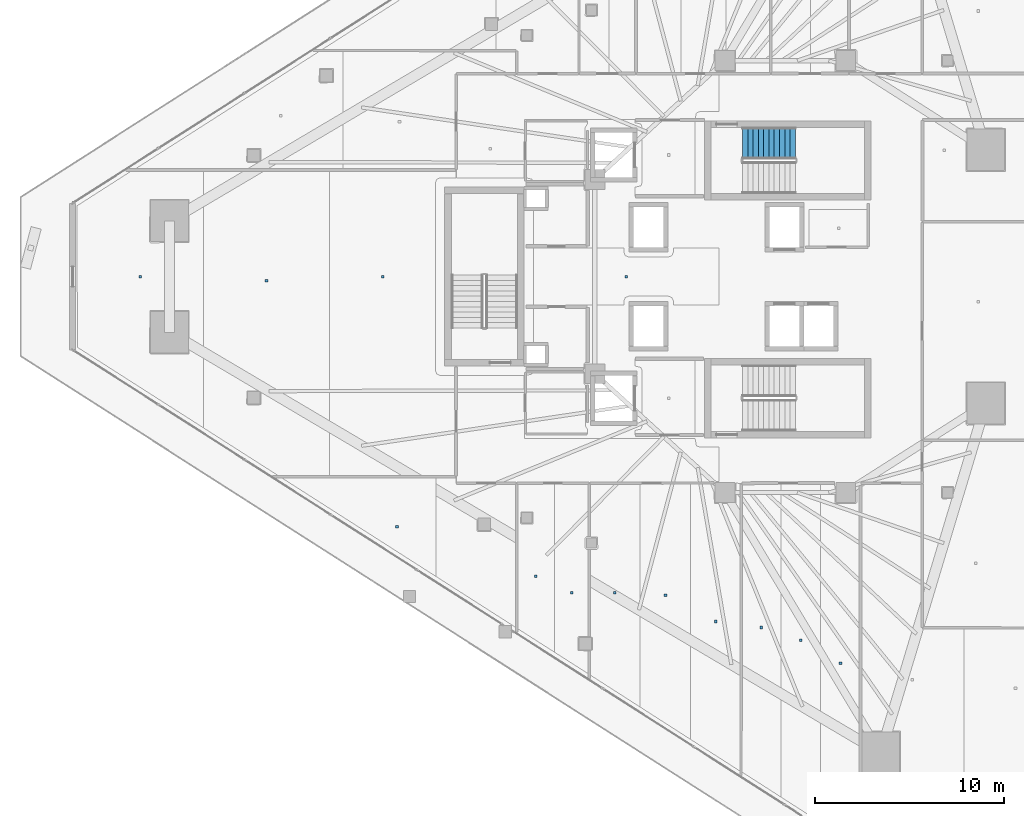
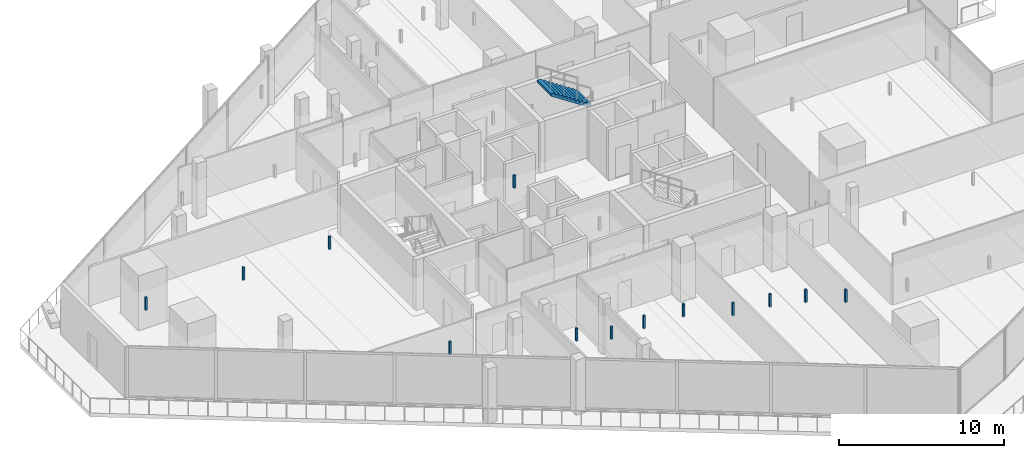
# One storey, part 32 of 44: 13 discrete accessories, 1 stair flight, 1 element without a shape of its own.
"""IFC4 building model written with IfcOpenShell, lengths in metres."""

import ifcopenshell
import ifcopenshell.guid

model = None  # the IFC model being written
_history = None  # IfcOwnerHistory: only IFC2X3 demands one
_inside = {}  # id of a spatial element -> (the spatial element, [elements in it])
_under = {}  # id of a project, library or spatial element -> (it, [spatial elements below it])
_declared = {}  # id of a project -> (the project, [libraries it declares])
_typed = {}  # id of a type object -> (the type object, [elements of that type])
_made_of = {}  # id of a material, layer set ... -> (it, [elements and type objects made of it])


def new_model(schema):
    """Start an empty IFC model of exactly this schema.

    Asked for "IFC4X3", IfcOpenShell would pick the latest addendum, in which some entities
    have other attributes; the version numbers below select the first issue.
    IFC2X3 requires an IfcOwnerHistory on every rooted entity: one is made here for all.
    """
    global model, _history
    if schema == "IFC4X3":
        model = ifcopenshell.file(schema_version=(4, 3, 0, 0))
    else:
        model = ifcopenshell.file(schema=schema)
    _inside.clear()
    _under.clear()
    _declared.clear()
    _typed.clear()
    _made_of.clear()
    _history = None
    if model.schema == "IFC2X3":
        org = make("IfcOrganization", Name="unknown")
        user = make(
            "IfcPersonAndOrganization",
            ThePerson=make("IfcPerson", FamilyName="unknown"),
            TheOrganization=org,
        )
        app = make(
            "IfcApplication",
            ApplicationDeveloper=org,
            Version="unknown",
            ApplicationFullName="unknown",
            ApplicationIdentifier="unknown",
        )
        _history = make(
            "IfcOwnerHistory",
            OwningUser=user,
            OwningApplication=app,
            ChangeAction="ADDED",
            CreationDate=0,
        )
    return model


def make(cls, **values):
    """One entity of the class cls with the attributes given. An attribute that is None is left unset."""
    return model.create_entity(
        cls, **{name: value for name, value in values.items() if value is not None}
    )


def rooted(cls, **values):
    """An entity with a GlobalId (a new one), such as an element, a storey or a relation."""
    return make(cls, GlobalId=ifcopenshell.guid.new(), OwnerHistory=_history, **values)


def si_unit(unit_type, name, prefix=None):
    """IfcSIUnit, for example si_unit("LENGTHUNIT", "METRE", prefix="MILLI")."""
    return make("IfcSIUnit", UnitType=unit_type, Prefix=prefix, Name=name)


def assignment(units):
    """IfcUnitAssignment: the units of a project."""
    return None if units is None else make("IfcUnitAssignment", Units=units)


def point(xyz):
    """IfcCartesianPoint."""
    return None if xyz is None else make("IfcCartesianPoint", Coordinates=xyz)


def direction(xyz):
    """IfcDirection."""
    return None if xyz is None else make("IfcDirection", DirectionRatios=xyz)


def frame(location, z_axis=None, x_axis=None):
    """IfcAxis2Placement3D, a coordinate frame: its origin and axes. An axis left out is left unset."""
    return make(
        "IfcAxis2Placement3D",
        Location=point(location),
        Axis=direction(z_axis),
        RefDirection=direction(x_axis),
    )


def frame_2d(location, x_axis=None):
    """IfcAxis2Placement2D, a coordinate frame in the plane: its origin and x axis."""
    return make(
        "IfcAxis2Placement2D", Location=point(location), RefDirection=direction(x_axis)
    )


def origin():
    """The frame at (0, 0, 0) with its axes left unset."""
    return frame((0.0, 0.0, 0.0))


def origin_2d():
    """The frame at (0, 0) in the plane with its x axis left unset."""
    return frame_2d((0.0, 0.0))


def place(relative_to, where):
    """IfcLocalPlacement: puts the frame where relative to a parent placement (None: the world)."""
    return make(
        "IfcLocalPlacement", PlacementRelTo=relative_to, RelativePlacement=where
    )


def context(
    kind, dimensions, precision=None, world=None, true_north=None, identifier=None
):
    """IfcGeometricRepresentationContext, for example the 3D "Model" context."""
    return make(
        "IfcGeometricRepresentationContext",
        ContextIdentifier=identifier,
        ContextType=kind,
        CoordinateSpaceDimension=dimensions,
        Precision=precision,
        WorldCoordinateSystem=world,
        TrueNorth=true_north,
    )


def subcontext(parent, identifier, kind, view, scale=None):
    """IfcGeometricRepresentationSubContext, for example "Body" below "Model"."""
    return make(
        "IfcGeometricRepresentationSubContext",
        ContextIdentifier=identifier,
        ContextType=kind,
        ParentContext=parent,
        TargetScale=scale,
        TargetView=view,
    )


def project(units=None, contexts=None):
    """IfcProject with its units and contexts."""
    return rooted(
        "IfcProject",
        Name="project",
        RepresentationContexts=contexts,
        UnitsInContext=assignment(units),
    )


def spatial(cls, under=None, at=None, **own):
    """A site, building, storey or space (cls), placed at a placement, below another one or the project."""
    s = rooted(cls, ObjectPlacement=at, **own)
    if under is not None:
        _under.setdefault(under.id(), (under, []))[1].append(s)
    return s


def polyline(points):
    """IfcPolyline through the points."""
    return make("IfcPolyline", Points=[point(p) for p in points])


def profile(cls, at=None, kind="AREA", **sizes):
    """A parametric profile (cls). Its sizes go by their IFC names, for example OverallWidth=200.0."""
    return make(cls, ProfileType=kind, Position=at, **sizes)


def rectangle(**sizes):
    """IfcRectangleProfileDef."""
    return profile("IfcRectangleProfileDef", **sizes)


def outline(outer, holes=None, kind="AREA"):
    """IfcArbitraryClosedProfileDef: a profile drawn as a closed curve; with holes, ...WithVoids."""
    if holes is None:
        return make("IfcArbitraryClosedProfileDef", ProfileType=kind, OuterCurve=outer)
    return make(
        "IfcArbitraryProfileDefWithVoids",
        ProfileType=kind,
        OuterCurve=outer,
        InnerCurves=holes,
    )


def extrude(swept, where, along, depth):
    """IfcExtrudedAreaSolid: the profile swept, set in the frame where, extruded along a direction by depth."""
    return make(
        "IfcExtrudedAreaSolid",
        SweptArea=swept,
        Position=where,
        ExtrudedDirection=direction(along),
        Depth=depth,
    )


def shape(context_of_items, identifier, shape_type, items):
    """IfcShapeRepresentation: the items that make up one representation, for example the "Body"."""
    return make(
        "IfcShapeRepresentation",
        ContextOfItems=context_of_items,
        RepresentationIdentifier=identifier,
        RepresentationType=shape_type,
        Items=items,
    )


def material(Name=None, Category=None):
    """IfcMaterial."""
    return make("IfcMaterial", Name=Name, Category=Category)


def layer(
    of_material, thickness, ventilated=None, Name=None, Category=None, Priority=None
):
    """IfcMaterialLayer: one layer of a wall or slab, of a material (None: an air gap)."""
    return make(
        "IfcMaterialLayer",
        Material=of_material,
        LayerThickness=thickness,
        IsVentilated=ventilated,
        Name=Name,
        Category=Category,
        Priority=Priority,
    )


def layer_set(layers, Name=None):
    """IfcMaterialLayerSet."""
    return make("IfcMaterialLayerSet", MaterialLayers=layers, LayerSetName=Name)


def made_of(thing, what):
    """Note that an element or type object is made of a material, layer set ...; save() writes the relation."""
    if what is not None:
        _made_of.setdefault(what.id(), (what, []))[1].append(thing)
    return thing


def type_object(cls, material=None, **own):
    """A type object (cls), such as IfcWallType, which elements share."""
    return made_of(rooted(cls, **own), material)


def element(
    cls,
    number,
    at=None,
    inside=None,
    cuts=None,
    type_object=None,
    material=None,
    context=None,
    identifier="Body",
    shape_type=None,
    held_by="IfcProductDefinitionShape",
    body=None,
    shapes=None,
    **own,
):
    """One element of the class cls, such as IfcWall. Its Tag is "e" and its number.

    at: its placement. inside: the storey or other place that contains it. cuts: it is an
    opening in that element (IfcRelVoidsElement). A single representation is given by context,
    identifier, shape_type and body (its items); several are given by shapes. held_by: the class
    of the entity that holds the representations. save() writes the other relations.
    """
    e = rooted(cls, Tag="e%d" % number, ObjectPlacement=at, **own)
    if body is not None:
        shapes = [shape(context, identifier, shape_type, body)]
    if shapes is not None:
        e.Representation = make(held_by, Representations=shapes)
    if inside is not None:
        _inside.setdefault(inside.id(), (inside, []))[1].append(e)
    if cuts is not None:
        rooted(
            "IfcRelVoidsElement", RelatingBuildingElement=cuts, RelatedOpeningElement=e
        )
    if type_object is not None:
        _typed.setdefault(type_object.id(), (type_object, []))[1].append(e)
    return made_of(e, material)


def aggregate(whole, parts):
    """IfcRelAggregates: a whole, such as a stair, and the parts it consists of."""
    return rooted("IfcRelAggregates", RelatingObject=whole, RelatedObjects=parts)


def save(model, path):
    """Write the relations noted so far, then the file.

    IfcRelAggregates (storeys below a building ...), IfcRelContainedInSpatialStructure (elements
    in a storey), IfcRelDefinesByType, IfcRelAssociatesMaterial and IfcRelDeclares: one each for
    every whole, place, type object, material and project.
    """
    for whole, parts in _under.values():
        aggregate(whole, parts)
    for where, things in _inside.values():
        rooted(
            "IfcRelContainedInSpatialStructure",
            RelatedElements=things,
            RelatingStructure=where,
        )
    for kind, things in _typed.values():
        rooted("IfcRelDefinesByType", RelatedObjects=things, RelatingType=kind)
    for what, things in _made_of.values():
        rooted("IfcRelAssociatesMaterial", RelatedObjects=things, RelatingMaterial=what)
    for by, libraries in _declared.values():
        rooted("IfcRelDeclares", RelatingContext=by, RelatedDefinitions=libraries)
    model.write(path)


model = new_model("IFC4")

# Units and contexts
model_context = context("Model", 3, precision=1e-05, world=origin(), true_north=direction((0.0, 1.0)))
body_context = subcontext(model_context, "Body", "Model", "MODEL_VIEW")
ifc_project = project(units=[si_unit("LENGTHUNIT", "METRE"), si_unit("AREAUNIT", "SQUARE_METRE"), si_unit("VOLUMEUNIT", "CUBIC_METRE"), si_unit("PLANEANGLEUNIT", "RADIAN"), si_unit("MASSUNIT", "GRAM", prefix="KILO")], contexts=[model_context])

# Site, building, storey
site_placement = place(None, origin())
site = spatial("IfcSite", under=ifc_project, at=site_placement, CompositionType="ELEMENT")
building_placement = place(site_placement, origin())
building = spatial("IfcBuilding", under=site, at=building_placement, Name="Qorvath Tower", CompositionType="ELEMENT")
storey_placement = place(building_placement, frame((0.0, 0.0, 113.85009765625)))
storey = spatial("IfcBuildingStorey", under=building, at=storey_placement, Name="L25", CompositionType="ELEMENT", Elevation=113.85009765625)

# Stair, stair flight
ifc_material_1 = material(Name="Concrete C50/60", Category="concrete")
stair_type = type_object("IfcStairType", Name="ST-H405", PredefinedType="HALF_TURN_STAIR", material=ifc_material_1)
stair_placement = place(storey_placement, origin())
stair = element("IfcStair", 1, at=stair_placement, inside=storey, type_object=stair_type, Name="L25 Tower Exit Stair 1", PredefinedType="HALF_TURN_STAIR")
ifc_material_2 = material(Name="Concrete C50/60", Category="concrete")
ifc_layer = layer(ifc_material_2, 0.14990234375)
ifc_layer_set = layer_set([ifc_layer], Name="SF-H405")
stair_flight_type = type_object("IfcStairFlightType", Name="SF-H405", PredefinedType="STRAIGHT", material=ifc_layer_set)
stair_flight_placement = place(storey_placement, frame((-19.8701171875, 7.070068359375, 2.02490234375), z_axis=(0.0, 0.0, 1.0), x_axis=(-1.0, 0.0, 0.0)))
stair_flight = element("IfcStairFlight", 2, at=stair_flight_placement, type_object=stair_flight_type, Name="TS1 flight 2", NumberOfRisers=11, NumberOfTreads=10, PredefinedType="STRAIGHT", RiserHeight=0.184090909, TreadLength=0.28, context=body_context, shape_type="SweptSolid", body=[
    extrude(outline(polyline([(0.0, 0.0), (0.0, 0.18408203125), (0.280029296875, 0.18408203125), (0.280029296875, 0.3681640625), (0.56005859375, 0.3681640625), (0.56005859375, 0.55224609375), (0.840087890625, 0.55224609375), (0.840087890625, 0.736328125), (1.1201171875, 0.736328125), (1.1201171875, 0.92041015625), (1.39990234375, 0.92041015625), (1.39990234375, 1.1044921875), (1.679931640625, 1.1044921875), (1.679931640625, 1.28857421875), (1.9599609375, 1.28857421875), (1.9599609375, 1.47265625), (2.239990234375, 1.47265625), (2.239990234375, 1.65673828125), (2.52001953125, 1.65673828125), (2.52001953125, 1.8408203125), (2.800048828125, 1.8408203125), (2.800048828125, 2.02490234375), (2.800048828125, 1.66162109375), (0.27294921875, 0.0), (0.0, 0.0)])), frame((0.0, 0.83984375, 0.0), z_axis=(0.0, -1.0, 0.0), x_axis=(1.0, 0.0, 0.0)), (0.0, 0.0, 1.0), 1.679931640625),
])
aggregate(stair, [stair_flight])

# Discrete accessories
ifc_material_3 = material(Name="Galvanised steel bracket", Category="steel")
discrete_accessory_type = type_object("IfcDiscreteAccessoryType", Name="DA-BRACKET", PredefinedType="BRACKET", material=ifc_material_3)
for number, where, z_axis, x_axis, name in (
    (3, (-28.83984375, 0.0, 2.85986328125), (0.0, 0.0, 1.0), (1.0, 0.0, 0.0), "Acoustic Ceiling Suspension Hanger T1-L25-010"),
    (4, (-33.6435546875, -15.879150390625, 2.85986328125), (0.0, 0.0, 1.0), (1.0, 0.0, 0.0), "Acoustic Ceiling Suspension Hanger T1-L25-023"),
    (5, (-31.719482421875, -16.767333984375, 2.85986328125), (0.0, 0.0, 1.0), (1.0, 0.0, 0.0), "Acoustic Ceiling Suspension Hanger T1-L25-024"),
    (6, (-29.438720703125, -16.767333984375, 2.85986328125), (0.0, 0.0, 1.0), (1.0, 0.0, 0.0), "Acoustic Ceiling Suspension Hanger T1-L25-025"),
    (7, (-26.7587890625, -16.887939453125, 2.85986328125), (0.0, 0.0, 1.0), (1.0, 0.0, 0.0), "Acoustic Ceiling Suspension Hanger T1-L25-026"),
    (8, (-24.0830078125, -18.28759765625, 2.85986328125), (0.0, 0.0, 1.0), (1.0, 0.0, 0.0), "Acoustic Ceiling Suspension Hanger T1-L25-027"),
    (9, (-21.680908203125, -18.60205078125, 2.85986328125), (0.0, 0.0, 1.0), (1.0, 0.0, 0.0), "Acoustic Ceiling Suspension Hanger T1-L25-028"),
    (10, (-19.5791015625, -19.27392578125, 2.85986328125), (0.0, 0.0, 1.0), (1.0, 0.0, 0.0), "Acoustic Ceiling Suspension Hanger T1-L25-029"),
    (11, (-17.4775390625, -20.490234375, 2.85986328125), (0.0, 0.0, 1.0), (1.0, 0.0, 0.0), "Acoustic Ceiling Suspension Hanger T1-L25-030"),
    (12, (-40.991455078125, -13.25439453125, 2.85986328125), (0.0, 0.0, 1.0), (1.0, 0.0, 0.0), "Acoustic Ceiling Suspension Hanger T1-L25-043"),
    (13, (-54.600830078125, -0.0087890625, 2.85986328125), (0.0, 0.0, 1.0), (1.0, 0.0, 0.0), "Acoustic Ceiling Suspension Hanger T1-L25-045"),
    (14, (-47.908447265625, -0.210693359375, 2.85986328125), (0.0, 0.0, 1.0), (1.0, 0.0, 0.0), "Acoustic Ceiling Suspension Hanger T1-L25-046"),
    (15, (-41.7548828125, 0.0, 2.85986328125), (0.0, 0.0, 1.0), (1.0, 0.0, 0.0), "Acoustic Ceiling Suspension Hanger T1-L25-047"),
):
    element("IfcDiscreteAccessory", number, at=place(storey_placement, frame(where, z_axis=z_axis, x_axis=x_axis)), inside=storey, type_object=discrete_accessory_type, Name=name, PredefinedType="NOTDEFINED", context=body_context, shape_type="SweptSolid", body=[
        extrude(rectangle(XDim=0.139892578125, YDim=0.139892578125, at=origin_2d()), origin(), (0.0, 0.0, 1.0), 0.940185546875),
    ])

save(model, "model.ifc")
